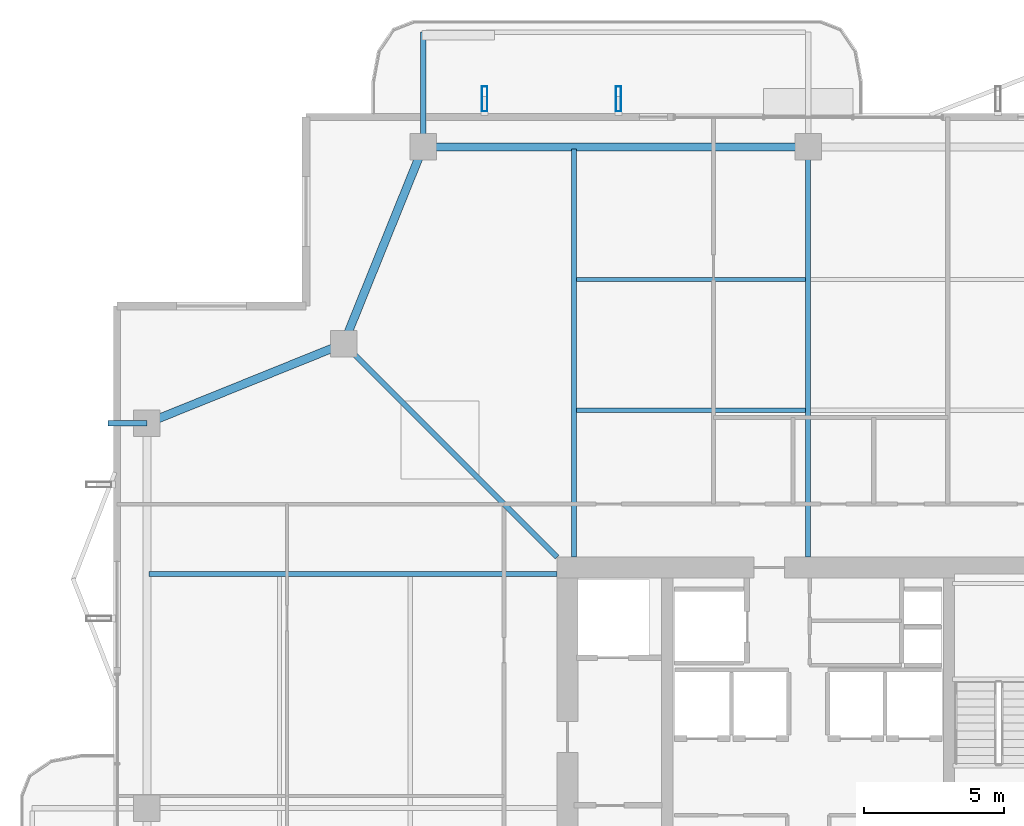
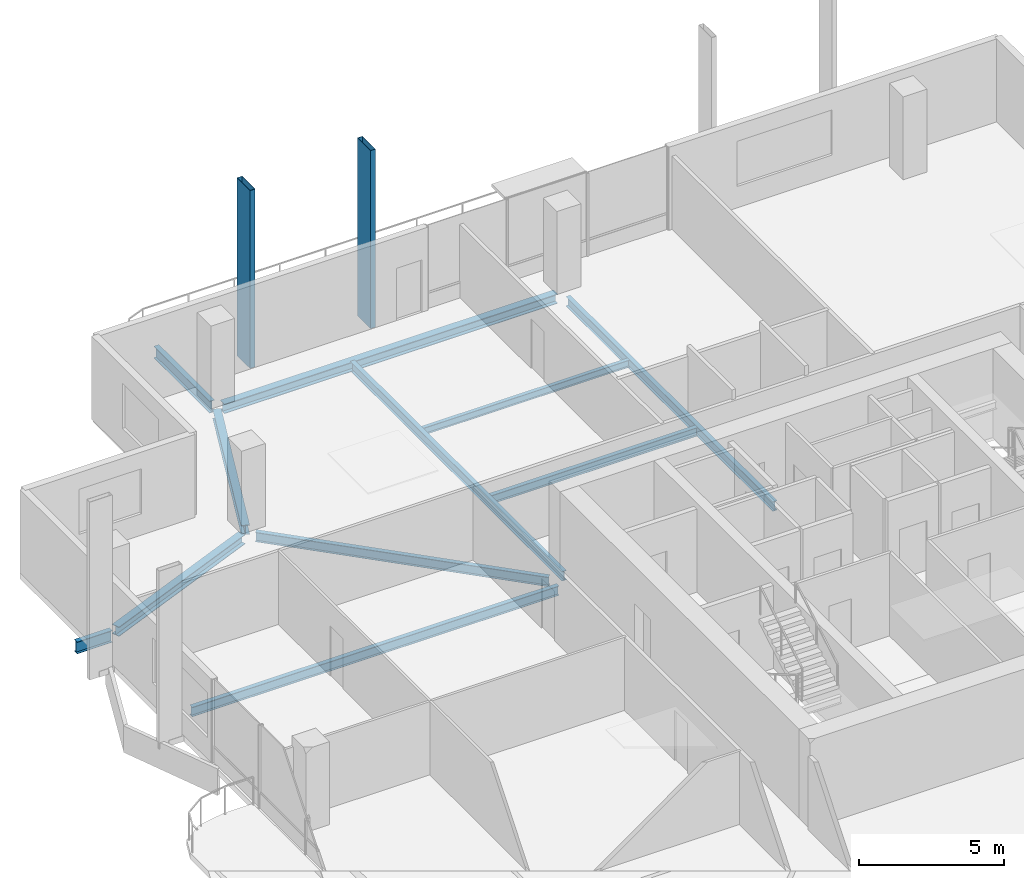
# One storey, part 12 of 25: 11 beams, 2 members.
"""IFC4 building model written with IfcOpenShell, lengths in metres."""

from ifc_helpers import new_model, si_unit, direction, frame, origin, origin_2d, place, context, subcontext, project, spatial, hollow_rectangle, i_section, extrude, material, material_profile, profile_set, type_object, element, save


model = new_model("IFC4")

# Units and contexts
model_context = context("Model", 3, precision=1e-05, world=origin(), true_north=direction((0.0, 1.0)))
body_context = subcontext(model_context, "Body", "Model", "MODEL_VIEW")
ifc_project = project(units=[si_unit("LENGTHUNIT", "METRE"), si_unit("AREAUNIT", "SQUARE_METRE"), si_unit("VOLUMEUNIT", "CUBIC_METRE"), si_unit("PLANEANGLEUNIT", "RADIAN"), si_unit("MASSUNIT", "GRAM", prefix="KILO")], contexts=[model_context])

# Site, building, storey
site_placement = place(None, origin())
site = spatial("IfcSite", under=ifc_project, at=site_placement, CompositionType="ELEMENT")
building_placement = place(site_placement, origin())
building = spatial("IfcBuilding", under=site, at=building_placement, Name="Belovzor Exchange Tower", CompositionType="ELEMENT")
storey_placement = place(building_placement, frame((0.0, 0.0, 257.85009765625)))
storey = spatial("IfcBuildingStorey", under=building, at=storey_placement, Name="L64", CompositionType="ELEMENT", Elevation=257.85009765625)

# Beams
ifc_material_1 = material(Name="Steel S355", Category="steel")
ifc_material_profile_1 = material_profile(ifc_material_1, i_section(OverallWidth=0.199951171875, OverallDepth=0.5, WebThickness=0.01025390625, FlangeThickness=0.01611328125, at=origin_2d()))
ifc_profile_set_1 = profile_set([ifc_material_profile_1], Name="Steel S355")
beam_type_1 = type_object("IfcBeamType", Name="Planted Balcony Cantilever Beam IPE 500", PredefinedType="BEAM", material=ifc_profile_set_1)
beam_1_placement = place(storey_placement, frame((15.0, 52.760986328125, -0.5), z_axis=(0.0, 1.0, 0.0), x_axis=(-1.0, 0.0, 0.0)))
element("IfcBeam", 1, at=beam_1_placement, inside=storey, type_object=beam_type_1, Name="BC-500 Planted Balcony Cantilever Beam IPE 500", PredefinedType="BEAM", context=body_context, shape_type="SweptSolid", body=[
    extrude(i_section(OverallWidth=0.199951171875, OverallDepth=0.5, WebThickness=0.01025390625, FlangeThickness=0.01611328125, at=origin_2d()), origin(), (0.0, 0.0, 1.0), 3.85009765625),
])
beam_2_placement = place(storey_placement, frame((5.10009765625, 42.60009765625, -0.5), z_axis=(-1.0, 0.0, 0.0), x_axis=(0.0, -1.0, 0.0)))
element("IfcBeam", 2, at=beam_2_placement, inside=storey, type_object=beam_type_1, Name="BC-500 Planted Balcony Cantilever Beam IPE 500", PredefinedType="BEAM", context=body_context, shape_type="SweptSolid", body=[
    extrude(i_section(OverallWidth=0.199951171875, OverallDepth=0.5, WebThickness=0.01025390625, FlangeThickness=0.01611328125, at=origin_2d()), origin(), (0.0, 0.0, 1.0), 1.400146484375),
])
ifc_material_2 = material(Name="Steel S355", Category="steel")
ifc_material_profile_2 = material_profile(ifc_material_2, i_section(OverallWidth=0.169921875, OverallDepth=0.360107421875, WebThickness=0.008056640625, FlangeThickness=0.0126953125, at=origin_2d()))
ifc_profile_set_2 = profile_set([ifc_material_profile_2], Name="Steel S355")
beam_type_2 = type_object("IfcBeamType", Name="Secondary Infill Floor Joist IPE 360", PredefinedType="BEAM", material=ifc_profile_set_2)
beam_3_placement = place(storey_placement, frame((20.489990234375, 43.06494140625, -0.43017578125), z_axis=(1.0, 0.0, 0.0), x_axis=(0.0, 1.0, 0.0)))
element("IfcBeam", 3, at=beam_3_placement, inside=storey, type_object=beam_type_2, Name="FJ-360 Secondary Infill Floor Joist IPE 360", PredefinedType="BEAM", context=body_context, shape_type="SweptSolid", body=[
    extrude(i_section(OverallWidth=0.169921875, OverallDepth=0.360107421875, WebThickness=0.008056640625, FlangeThickness=0.0126953125, at=origin_2d()), origin(), (0.0, 0.0, 1.0), 8.219970703125),
])
ifc_material_3 = material(Name="Steel S355", Category="steel")
ifc_material_profile_3 = material_profile(ifc_material_3, i_section(OverallWidth=0.14990234375, OverallDepth=0.300048828125, WebThickness=0.007080078125, FlangeThickness=0.0107421875, at=origin_2d()))
ifc_profile_set_3 = profile_set([ifc_material_profile_3], Name="Steel S355")
beam_type_3 = type_object("IfcBeamType", Name="Secondary Trim Floor Joist IPE 300", PredefinedType="BEAM", material=ifc_profile_set_3)
beam_4_placement = place(storey_placement, frame((20.489990234375, 47.7451171875, -0.400146484375), z_axis=(1.0, 0.0, 0.0), x_axis=(0.0, 1.0, 0.0)))
element("IfcBeam", 4, at=beam_4_placement, inside=storey, type_object=beam_type_3, Name="FJ-300 Secondary Trim Floor Joist IPE 300", PredefinedType="BEAM", context=body_context, shape_type="SweptSolid", body=[
    extrude(i_section(OverallWidth=0.14990234375, OverallDepth=0.300048828125, WebThickness=0.007080078125, FlangeThickness=0.0107421875, at=origin_2d()), origin(), (0.0, 0.0, 1.0), 8.219970703125),
])

# Members
ifc_material_4 = material(Name="Extruded Architectural Terracotta on Steel S355 Carrier", Category="masonry")
ifc_material_profile_4 = material_profile(ifc_material_4, hollow_rectangle(XDim=0.199951171875, YDim=0.89990234375, WallThickness=0.011962890625, at=origin_2d()))
ifc_profile_set_4 = profile_set([ifc_material_profile_4], Name="Extruded Architectural Terracotta on Steel S355 Carrier")
member_type = type_object("IfcMemberType", Name="Sweeping Terracotta Baguette Fin Assembly 950", PredefinedType="USERDEFINED", material=ifc_profile_set_4)
for number, where, z_axis, x_axis, name in (
    (5, (17.199951171875, 54.22509765625, -0.25), (0.0, 0.0, 1.0), (1.0, 0.0, 0.0), "FIN-TC095 Terracotta Facade Fin L64 N1"),
    (6, (22.0, 54.22509765625, -0.25), (0.0, 0.0, 1.0), (1.0, 0.0, 0.0), "FIN-TC095 Terracotta Facade Fin L64 N2"),
):
    element("IfcMember", number, at=place(storey_placement, frame(where, z_axis=z_axis, x_axis=x_axis)), inside=storey, type_object=member_type, Name=name, ObjectType="FIN", PredefinedType="USERDEFINED", context=body_context, shape_type="SweptSolid", body=[
        extrude(hollow_rectangle(XDim=0.199951171875, YDim=0.89990234375, WallThickness=0.011962890625, at=origin_2d()), origin(), (0.0, 0.0, 1.0), 7.5),
    ])

# Beams
ifc_material_5 = material(Name="Steel S355", Category="steel")
ifc_material_profile_5 = material_profile(ifc_material_5, i_section(OverallWidth=0.300048828125, OverallDepth=0.39990234375, WebThickness=0.013427734375, FlangeThickness=0.02392578125, at=origin_2d()))
ifc_profile_set_5 = profile_set([ifc_material_profile_5], Name="Steel S355")
beam_type_4 = type_object("IfcBeamType", Name="Zone 5 Primary Girder HEB 400", PredefinedType="BEAM", material=ifc_profile_set_5)
beam_5_placement = place(storey_placement, frame((28.5390625, 52.5, -0.4501953125), z_axis=(-1.0, 0.0, 0.0), x_axis=(0.0, -1.0, 0.0)))
element("IfcBeam", 7, at=beam_5_placement, inside=storey, type_object=beam_type_4, Name="FG-Z5 Zone 5 Primary Girder HEB 400", PredefinedType="BEAM", context=body_context, shape_type="SweptSolid", body=[
    extrude(i_section(OverallWidth=0.300048828125, OverallDepth=0.39990234375, WebThickness=0.013427734375, FlangeThickness=0.02392578125, at=origin_2d()), origin(), (0.0, 0.0, 1.0), 13.278076171875),
])
beam_6_placement = place(storey_placement, frame((14.902099609375, 52.258056640625, -0.4501953125), z_axis=(-0.374746306278, -0.927127394661, 0.0), x_axis=(0.927127394661, -0.374746306278, 0.0)))
element("IfcBeam", 8, at=beam_6_placement, inside=storey, type_object=beam_type_4, Name="FG-Z5 Zone 5 Primary Girder HEB 400", PredefinedType="BEAM", context=body_context, shape_type="SweptSolid", body=[
    extrude(i_section(OverallWidth=0.300048828125, OverallDepth=0.39990234375, WebThickness=0.013427734375, FlangeThickness=0.02392578125, at=origin_2d()), origin(), (0.0, 0.0, 1.0), 7.082275390625),
])
beam_7_placement = place(storey_placement, frame((11.907958984375, 45.35205078125, -0.4501953125), z_axis=(-0.927122553345, -0.374758283536, 0.0), x_axis=(0.374758283536, -0.927122553345, 0.0)))
element("IfcBeam", 9, at=beam_7_placement, inside=storey, type_object=beam_type_4, Name="FG-Z5 Zone 5 Primary Girder HEB 400", PredefinedType="BEAM", context=body_context, shape_type="SweptSolid", body=[
    extrude(i_section(OverallWidth=0.300048828125, OverallDepth=0.39990234375, WebThickness=0.013427734375, FlangeThickness=0.02392578125, at=origin_2d()), origin(), (0.0, 0.0, 1.0), 7.08203125),
])
ifc_material_6 = material(Name="Steel S355", Category="steel")
ifc_material_profile_6 = material_profile(ifc_material_6, i_section(OverallWidth=0.179931640625, OverallDepth=0.39990234375, WebThickness=0.008544921875, FlangeThickness=0.013427734375, at=origin_2d()))
ifc_profile_set_6 = profile_set([ifc_material_profile_6], Name="Steel S355")
beam_type_5 = type_object("IfcBeamType", Name="Zone 5-6 Radial Composite Floor Beam IPE 400", PredefinedType="BEAM", material=ifc_profile_set_6)
beam_8_placement = place(storey_placement, frame((20.39990234375, 37.800048828125, -0.4501953125), z_axis=(0.0, 1.0, 0.0), x_axis=(-1.0, 0.0, 0.0)))
element("IfcBeam", 10, at=beam_8_placement, inside=storey, type_object=beam_type_5, Name="FB-400 Zone 5-6 Radial Composite Floor Beam IPE 400", PredefinedType="BEAM", context=body_context, shape_type="SweptSolid", body=[
    extrude(i_section(OverallWidth=0.179931640625, OverallDepth=0.39990234375, WebThickness=0.008544921875, FlangeThickness=0.013427734375, at=origin_2d()), origin(), (0.0, 0.0, 1.0), 14.625),
])
beam_9_placement = place(storey_placement, frame((28.800048828125, 37.800048828125, -0.4501953125), z_axis=(0.0, 1.0, 0.0), x_axis=(-1.0, 0.0, 0.0)))
element("IfcBeam", 11, at=beam_9_placement, inside=storey, type_object=beam_type_5, Name="FB-400 Zone 5-6 Radial Composite Floor Beam IPE 400", PredefinedType="BEAM", context=body_context, shape_type="SweptSolid", body=[
    extrude(i_section(OverallWidth=0.179931640625, OverallDepth=0.39990234375, WebThickness=0.008544921875, FlangeThickness=0.013427734375, at=origin_2d()), origin(), (0.0, 0.0, 1.0), 14.281982421875),
])
beam_10_placement = place(storey_placement, frame((19.800048828125, 37.199951171875, -0.4501953125), z_axis=(-1.0, 0.0, 0.0), x_axis=(0.0, -1.0, 0.0)))
element("IfcBeam", 12, at=beam_10_placement, inside=storey, type_object=beam_type_5, Name="FB-400 Zone 5-6 Radial Composite Floor Beam IPE 400", PredefinedType="BEAM", context=body_context, shape_type="SweptSolid", body=[
    extrude(i_section(OverallWidth=0.179931640625, OverallDepth=0.39990234375, WebThickness=0.008544921875, FlangeThickness=0.013427734375, at=origin_2d()), origin(), (0.0, 0.0, 1.0), 14.625),
])
beam_11_placement = place(storey_placement, frame((19.800048828125, 37.800048828125, -0.4501953125), z_axis=(-0.707071845944, 0.707141714703, 0.0), x_axis=(-0.707141714703, -0.707071845944, 0.0)))
element("IfcBeam", 13, at=beam_11_placement, inside=storey, type_object=beam_type_5, Name="FB-400 Zone 5-6 Radial Composite Floor Beam IPE 400", PredefinedType="BEAM", context=body_context, shape_type="SweptSolid", body=[
    extrude(i_section(OverallWidth=0.179931640625, OverallDepth=0.39990234375, WebThickness=0.008544921875, FlangeThickness=0.013427734375, at=origin_2d()), origin(), (0.0, 0.0, 1.0), 10.48291015625),
])

save(model, "model.ifc")
